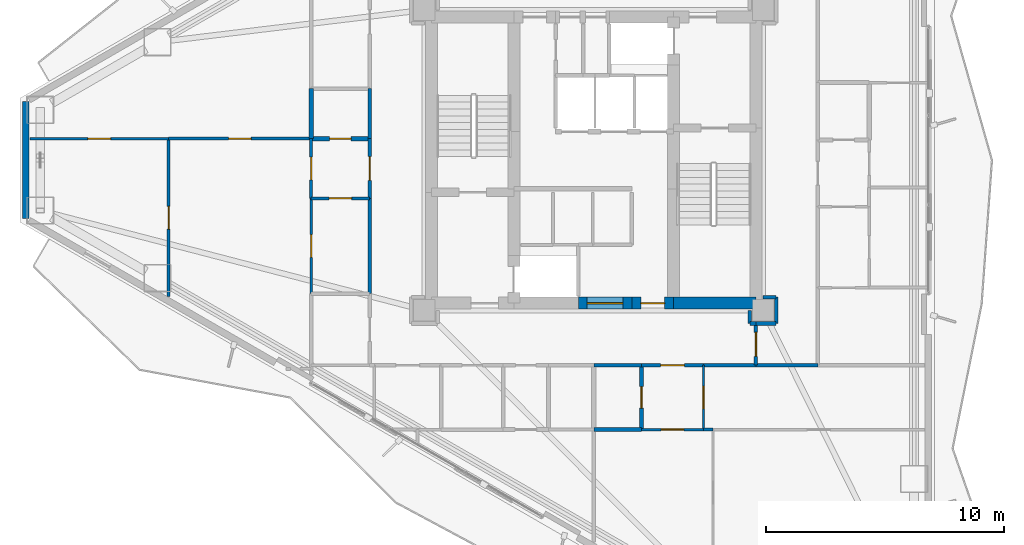
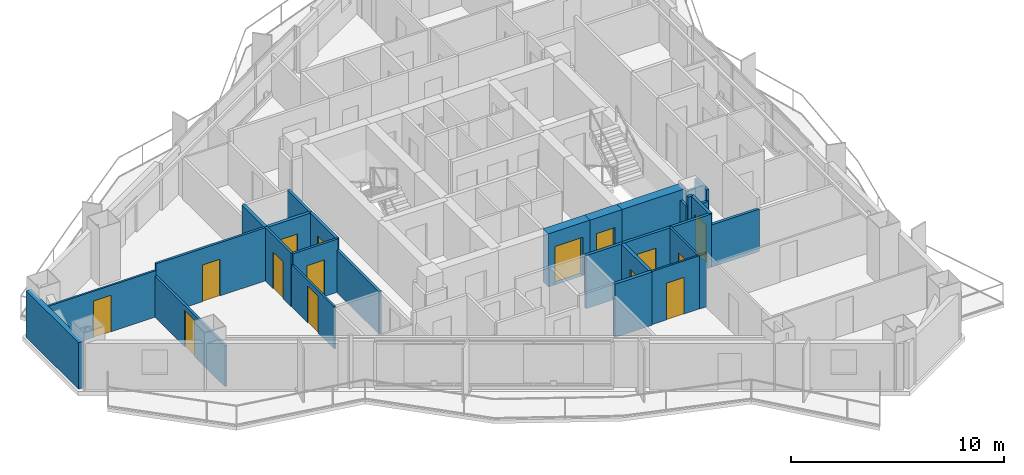
# One storey, part 16 of 23: 30 walls, 15 doors, 15 openings.
"""IFC4 building model written with IfcOpenShell, lengths in metres."""

from ifc_helpers import new_model, si_unit, direction, frame, frame_2d, origin, place, context, subcontext, project, spatial, rectangle, extrude, material, layer, layer_set, type_object, element, fill, save


model = new_model("IFC4")

# Units and contexts
model_context = context("Model", 3, precision=1e-05, world=origin(), true_north=direction((0.0, 1.0)))
body_context = subcontext(model_context, "Body", "Model", "MODEL_VIEW")
ifc_project = project(units=[si_unit("LENGTHUNIT", "METRE"), si_unit("AREAUNIT", "SQUARE_METRE"), si_unit("VOLUMEUNIT", "CUBIC_METRE"), si_unit("PLANEANGLEUNIT", "RADIAN"), si_unit("MASSUNIT", "GRAM", prefix="KILO")], contexts=[model_context])

# Site, building, storey
site_placement = place(None, origin())
site = spatial("IfcSite", under=ifc_project, at=site_placement, CompositionType="ELEMENT")
building_placement = place(site_placement, origin())
building = spatial("IfcBuilding", under=site, at=building_placement, Name="Mersakhor Tower and Convention Hall", CompositionType="ELEMENT")
storey_placement = place(building_placement, frame((0.0, 0.0, 80.10009765625)))
storey = spatial("IfcBuildingStorey", under=building, at=storey_placement, Name="L21", CompositionType="ELEMENT", Elevation=80.10009765625)

# Wall
ifc_material_1 = material(Name="Precast concrete C45/55", Category="concrete")
ifc_layer_1 = layer(ifc_material_1, 0.27490234375)
ifc_layer_set_1 = layer_set([ifc_layer_1], Name="Precast concrete C45/55")
wall_type_1 = type_object("IfcWallType", Name="WL-EXT-275", PredefinedType="SOLIDWALL", material=ifc_layer_set_1)
wall_1_placement = place(storey_placement, frame((5.186767578125, 24.292724609375, 0.0), z_axis=(0.0, 0.0, 1.0), x_axis=(0.0, 1.0, 0.0)))
element("IfcWall", 1, at=wall_1_placement, inside=storey, type_object=wall_type_1, Name="L21 Chamfer Braced Spandrel Wall C3", PredefinedType="SOLIDWALL", context=body_context, shape_type="SweptSolid", body=[
    extrude(rectangle(XDim=4.91455078125, YDim=0.27490234375, at=frame_2d((2.457275390625, 0.0))), origin(), (0.0, 0.0, 1.0), 2.669921875),
])

# Wall, opening, door
ifc_material_2 = material(Name="Moisture-resistant acoustic drywall studwork", Category="other")
ifc_layer_2 = layer(ifc_material_2, 0.175048828125)
ifc_layer_set_2 = layer_set([ifc_layer_2], Name="Moisture-resistant acoustic drywall studwork")
wall_type_2 = type_object("IfcWallType", Name="WL-PLM-175", PredefinedType="PLUMBINGWALL", material=ifc_layer_set_2)
wall_2_placement = place(storey_placement, frame((31.0, 15.449951171875, 0.0), z_axis=(0.0, 0.0, 1.0), x_axis=(0.0, 1.0, 0.0)))
wall_2 = element("IfcWall", 2, at=wall_2_placement, inside=storey, type_object=wall_type_2, Name="L21 Interior Partition Wall P-071", PredefinedType="PLUMBINGWALL", context=body_context, shape_type="SweptSolid", body=[
    extrude(rectangle(XDim=2.699951171875, YDim=0.175048828125, at=frame_2d((1.35009765625, 0.0))), origin(), (0.0, 0.0, 1.0), 3.0498046875),
])
opening_1_placement = place(wall_2_placement, frame((0.89990234375, 0.0, 0.0)))
opening_1 = element("IfcOpeningElement", 3, at=opening_1_placement, cuts=wall_2, Name="Opening WD-01", PredefinedType="OPENING", context=body_context, shape_type="SweptSolid", body=[
    extrude(rectangle(XDim=0.89990234375, YDim=2.10009765625, at=frame_2d((0.449951171875, 1.050048828125))), frame((0.0, 0.097412109375, 0.0), z_axis=(0.0, -1.0, 0.0), x_axis=(1.0, 0.0, 0.0)), (0.0, 0.0, 1.0), 0.195068359375),
])
ifc_material_3 = material(Name="Solid-core hardwood leaf in painted steel frame", Category="steel")
door_type_1 = type_object("IfcDoorType", Name="DR-INT-WET-090x210", OperationType="NOTDEFINED", PredefinedType="DOOR", material=ifc_material_3)
door_1_placement = place(opening_1_placement, origin())
door_1 = element("IfcDoor", 4, at=door_1_placement, inside=storey, type_object=door_type_1, Name="L21 L21 Flat S3 Apartment Hall to L21 Flat S3 Bathroom Door", OperationType="SINGLE_SWING_RIGHT", OverallHeight=2.10009765625, OverallWidth=0.89990234375, PredefinedType="DOOR", context=body_context, shape_type="SweptSolid", body=[
    extrude(rectangle(XDim=0.89990234375, YDim=2.10009765625, at=frame_2d((0.449951171875, 1.050048828125))), frame((0.0, 0.02490234375, 0.0), z_axis=(0.0, -1.0, 0.0), x_axis=(1.0, 0.0, 0.0)), (0.0, 0.0, 1.0), 0.050048828125),
])
fill(opening_1, door_1)

wall_3_placement = place(storey_placement, frame((17.14990234375, 27.64990234375, 0.0), z_axis=(0.0, 0.0, 1.0), x_axis=(1.0, 0.0, 0.0)))
wall_3 = element("IfcWall", 5, at=wall_3_placement, inside=storey, type_object=wall_type_2, Name="L21 Interior Partition Wall P-074", PredefinedType="PLUMBINGWALL", context=body_context, shape_type="SweptSolid", body=[
    extrude(rectangle(XDim=2.4501953125, YDim=0.175048828125, at=frame_2d((1.22509765625, 0.0))), origin(), (0.0, 0.0, 1.0), 3.0498046875),
])
opening_2_placement = place(wall_3_placement, frame((0.77490234375, 0.0, 0.0)))
opening_2 = element("IfcOpeningElement", 6, at=opening_2_placement, cuts=wall_3, Name="Opening WD-01", PredefinedType="OPENING", context=body_context, shape_type="SweptSolid", body=[
    extrude(rectangle(XDim=0.89990234375, YDim=2.10009765625, at=frame_2d((0.449951171875, 1.050048828125))), frame((0.0, 0.097412109375, 0.0), z_axis=(0.0, -1.0, 0.0), x_axis=(1.0, 0.0, 0.0)), (0.0, 0.0, 1.0), 0.195068359375),
])
door_2_placement = place(opening_2_placement, origin())
door_2 = element("IfcDoor", 7, at=door_2_placement, inside=storey, type_object=door_type_1, Name="L21 L21 Flat W4 Apartment Hall to L21 Flat W4 Bathroom Door", OperationType="SINGLE_SWING_LEFT", OverallHeight=2.10009765625, OverallWidth=0.89990234375, PredefinedType="DOOR", context=body_context, shape_type="SweptSolid", body=[
    extrude(rectangle(XDim=0.89990234375, YDim=2.10009765625, at=frame_2d((0.449951171875, 1.050048828125))), frame((0.0, 0.02490234375, 0.0), z_axis=(0.0, -1.0, 0.0), x_axis=(1.0, 0.0, 0.0)), (0.0, 0.0, 1.0), 0.050048828125),
])
fill(opening_2, door_2)

# Walls
wall_4_placement = place(storey_placement, frame((31.0, 15.449951171875, 0.0), z_axis=(0.0, 0.0, 1.0), x_axis=(-1.0, 0.0, 0.0)))
element("IfcWall", 8, at=wall_4_placement, inside=storey, type_object=wall_type_2, Name="L21 Interior Partition Wall P-089", PredefinedType="PLUMBINGWALL", context=body_context, shape_type="SweptSolid", body=[
    extrude(rectangle(XDim=2.0, YDim=0.175048828125, at=frame_2d((1.0, 0.0))), origin(), (0.0, 0.0, 1.0), 3.0498046875),
])
wall_5_placement = place(storey_placement, frame((17.14990234375, 27.64990234375, 0.0), z_axis=(0.0, 0.0, 1.0), x_axis=(0.0, 1.0, 0.0)))
element("IfcWall", 9, at=wall_5_placement, inside=storey, type_object=wall_type_2, Name="L21 Interior Partition Wall P-094", PredefinedType="PLUMBINGWALL", context=body_context, shape_type="SweptSolid", body=[
    extrude(rectangle(XDim=2.10009765625, YDim=0.175048828125, at=frame_2d((1.050048828125, 0.0))), origin(), (0.0, 0.0, 1.0), 3.0498046875),
])

# Wall, opening, door
ifc_material_4 = material(Name="Lightweight gypsum partition", Category="other")
ifc_layer_3 = layer(ifc_material_4, 0.10009765625)
ifc_layer_set_3 = layer_set([ifc_layer_3], Name="Lightweight gypsum partition")
wall_type_3 = type_object("IfcWallType", Name="WL-PRT-100", PredefinedType="PARTITIONING", material=ifc_layer_set_3)
wall_6_placement = place(storey_placement, frame((33.60009765625, 15.449951171875, 0.0), z_axis=(0.0, 0.0, 1.0), x_axis=(-1.0, 0.0, 0.0)))
wall_6 = element("IfcWall", 10, at=wall_6_placement, inside=storey, type_object=wall_type_3, Name="L21 Interior Partition Wall P-070", PredefinedType="PARTITIONING", context=body_context, shape_type="SweptSolid", body=[
    extrude(rectangle(XDim=2.60009765625, YDim=0.10009765625, at=frame_2d((1.300048828125, 0.0))), origin(), (0.0, 0.0, 1.0), 3.0498046875),
])
opening_3_placement = place(wall_6_placement, frame((0.824951171875, 0.0, 0.0)))
opening_3 = element("IfcOpeningElement", 11, at=opening_3_placement, cuts=wall_6, Name="Opening RD-01", PredefinedType="OPENING", context=body_context, shape_type="SweptSolid", body=[
    extrude(rectangle(XDim=0.949951171875, YDim=2.10009765625, at=frame_2d((0.47509765625, 1.050048828125))), frame((0.0, 0.06005859375, 0.0), z_axis=(0.0, -1.0, 0.0), x_axis=(1.0, 0.0, 0.0)), (0.0, 0.0, 1.0), 0.1201171875),
])
ifc_material_5 = material(Name="Solid-core hardwood leaf in painted steel frame", Category="steel")
door_type_2 = type_object("IfcDoorType", Name="DR-INT-RM-095x210", OperationType="NOTDEFINED", PredefinedType="DOOR", material=ifc_material_5)
door_3_placement = place(opening_3_placement, origin())
door_3 = element("IfcDoor", 12, at=door_3_placement, inside=storey, type_object=door_type_2, Name="L21 L21 Flat S3 Apartment Hall to L21 Flat S3 Living and Dining Room Door", OperationType="SINGLE_SWING_RIGHT", OverallHeight=2.10009765625, OverallWidth=0.949951171875, PredefinedType="DOOR", context=body_context, shape_type="SweptSolid", body=[
    extrude(rectangle(XDim=0.949951171875, YDim=2.10009765625, at=frame_2d((0.47509765625, 1.050048828125))), frame((0.0, 0.02490234375, 0.0), z_axis=(0.0, -1.0, 0.0), x_axis=(1.0, 0.0, 0.0)), (0.0, 0.0, 1.0), 0.050048828125),
])
fill(opening_3, door_3)

wall_7_placement = place(storey_placement, frame((33.60009765625, 18.14990234375, 0.0), z_axis=(0.0, 0.0, 1.0), x_axis=(0.0, -1.0, 0.0)))
wall_7 = element("IfcWall", 13, at=wall_7_placement, inside=storey, type_object=wall_type_3, Name="L21 Interior Partition Wall P-072", PredefinedType="PARTITIONING", context=body_context, shape_type="SweptSolid", body=[
    extrude(rectangle(XDim=2.699951171875, YDim=0.10009765625, at=frame_2d((1.35009765625, 0.0))), origin(), (0.0, 0.0, 1.0), 3.0498046875),
])
opening_4_placement = place(wall_7_placement, frame((0.875, 0.0, 0.0)))
opening_4 = element("IfcOpeningElement", 14, at=opening_4_placement, cuts=wall_7, Name="Opening RD-01", PredefinedType="OPENING", context=body_context, shape_type="SweptSolid", body=[
    extrude(rectangle(XDim=0.949951171875, YDim=2.10009765625, at=frame_2d((0.47509765625, 1.050048828125))), frame((0.0, 0.06005859375, 0.0), z_axis=(0.0, -1.0, 0.0), x_axis=(1.0, 0.0, 0.0)), (0.0, 0.0, 1.0), 0.1201171875),
])
door_4_placement = place(opening_4_placement, origin())
door_4 = element("IfcDoor", 15, at=door_4_placement, inside=storey, type_object=door_type_2, Name="L21 L21 Flat S3 Apartment Hall to L21 Flat S3 Kitchen Door", OperationType="SINGLE_SWING_LEFT", OverallHeight=2.10009765625, OverallWidth=0.949951171875, PredefinedType="DOOR", context=body_context, shape_type="SweptSolid", body=[
    extrude(rectangle(XDim=0.949951171875, YDim=2.10009765625, at=frame_2d((0.47509765625, 1.050048828125))), frame((0.0, 0.02490234375, 0.0), z_axis=(0.0, -1.0, 0.0), x_axis=(1.0, 0.0, 0.0)), (0.0, 0.0, 1.0), 0.050048828125),
])
fill(opening_4, door_4)

wall_8_placement = place(storey_placement, frame((17.14990234375, 21.14990234375, 0.0), z_axis=(0.0, 0.0, 1.0), x_axis=(0.0, 1.0, 0.0)))
wall_8 = element("IfcWall", 16, at=wall_8_placement, inside=storey, type_object=wall_type_3, Name="L21 Interior Partition Wall P-096", PredefinedType="PARTITIONING", context=body_context, shape_type="SweptSolid", body=[
    extrude(rectangle(XDim=4.0, YDim=0.10009765625, at=frame_2d((2.0, 0.0))), origin(), (0.0, 0.0, 1.0), 2.422607421875),
])
opening_5_placement = place(wall_8_placement, frame((1.52490234375, 0.0, 0.0)))
opening_5 = element("IfcOpeningElement", 17, at=opening_5_placement, cuts=wall_8, Name="Opening RD-01", PredefinedType="OPENING", context=body_context, shape_type="SweptSolid", body=[
    extrude(rectangle(XDim=0.949951171875, YDim=2.10009765625, at=frame_2d((0.47509765625, 1.050048828125))), frame((0.0, 0.06005859375, 0.0), z_axis=(0.0, -1.0, 0.0), x_axis=(1.0, 0.0, 0.0)), (0.0, 0.0, 1.0), 0.1201171875),
])
door_5_placement = place(opening_5_placement, origin())
door_5 = element("IfcDoor", 18, at=door_5_placement, inside=storey, type_object=door_type_2, Name="L21 L21 Flat W4 Kitchen to L21 Flat W4 Dining Room Door", OperationType="SINGLE_SWING_RIGHT", OverallHeight=2.10009765625, OverallWidth=0.949951171875, PredefinedType="DOOR", context=body_context, shape_type="SweptSolid", body=[
    extrude(rectangle(XDim=0.949951171875, YDim=2.10009765625, at=frame_2d((0.47509765625, 1.050048828125))), frame((0.0, 0.02490234375, 0.0), z_axis=(0.0, -1.0, 0.0), x_axis=(1.0, 0.0, 0.0)), (0.0, 0.0, 1.0), 0.050048828125),
])
fill(opening_5, door_5)

wall_9_placement = place(storey_placement, frame((11.169921875, 27.64990234375, 0.0), z_axis=(0.0, 0.0, 1.0), x_axis=(-1.0, 0.0, 0.0)))
wall_9 = element("IfcWall", 19, at=wall_9_placement, inside=storey, type_object=wall_type_3, Name="L21 Interior Partition Wall P-134", PredefinedType="PARTITIONING", context=body_context, shape_type="SweptSolid", body=[
    extrude(rectangle(XDim=5.82177734375, YDim=0.10009765625, at=frame_2d((2.910888671875, 0.0))), origin(), (0.0, 0.0, 1.0), 2.660400390625),
])
opening_6_placement = place(wall_9_placement, frame((2.435791015625, 0.0, 0.0)))
opening_6 = element("IfcOpeningElement", 20, at=opening_6_placement, cuts=wall_9, Name="Opening RD-01", PredefinedType="OPENING", context=body_context, shape_type="SweptSolid", body=[
    extrude(rectangle(XDim=0.949951171875, YDim=2.10009765625, at=frame_2d((0.47509765625, 1.050048828125))), frame((0.0, 0.06005859375, 0.0), z_axis=(0.0, -1.0, 0.0), x_axis=(1.0, 0.0, 0.0)), (0.0, 0.0, 1.0), 0.1201171875),
])
door_6_placement = place(opening_6_placement, origin())
door_6 = element("IfcDoor", 21, at=door_6_placement, inside=storey, type_object=door_type_2, Name="L21 L21 Flat W4 Living and Dining Room to L21 Flat W4 Master Bedroom Door", OperationType="SINGLE_SWING_RIGHT", OverallHeight=2.10009765625, OverallWidth=0.949951171875, PredefinedType="DOOR", context=body_context, shape_type="SweptSolid", body=[
    extrude(rectangle(XDim=0.949951171875, YDim=2.10009765625, at=frame_2d((0.47509765625, 1.050048828125))), frame((0.0, 0.02490234375, 0.0), z_axis=(0.0, -1.0, 0.0), x_axis=(1.0, 0.0, 0.0)), (0.0, 0.0, 1.0), 0.050048828125),
])
fill(opening_6, door_6)

ifc_material_6 = material(Name="Gypsum board acoustic partition", Category="other")
ifc_layer_4 = layer(ifc_material_6, 0.125)
ifc_layer_set_4 = layer_set([ifc_layer_4], Name="Gypsum board acoustic partition")
wall_type_4 = type_object("IfcWallType", Name="WL-PRT-125", PredefinedType="PARTITIONING", material=ifc_layer_set_4)
wall_10_placement = place(storey_placement, frame((17.14990234375, 25.14990234375, 0.0), z_axis=(0.0, 0.0, 1.0), x_axis=(0.0, 1.0, 0.0)))
wall_10 = element("IfcWall", 22, at=wall_10_placement, inside=storey, type_object=wall_type_4, Name="L21 Interior Partition Wall P-073", PredefinedType="PARTITIONING", context=body_context, shape_type="SweptSolid", body=[
    extrude(rectangle(XDim=2.5, YDim=0.125, at=frame_2d((1.25, 0.0))), origin(), (0.0, 0.0, 1.0), 3.0498046875),
])
opening_7_placement = place(wall_10_placement, frame((0.77490234375, 0.0, 0.0)))
opening_7 = element("IfcOpeningElement", 23, at=opening_7_placement, cuts=wall_10, Name="Opening RD-01", PredefinedType="OPENING", context=body_context, shape_type="SweptSolid", body=[
    extrude(rectangle(XDim=0.949951171875, YDim=2.10009765625, at=frame_2d((0.47509765625, 1.050048828125))), frame((0.0, 0.072509765625, 0.0), z_axis=(0.0, -1.0, 0.0), x_axis=(1.0, 0.0, 0.0)), (0.0, 0.0, 1.0), 0.14501953125),
])
door_7_placement = place(opening_7_placement, origin())
door_7 = element("IfcDoor", 24, at=door_7_placement, inside=storey, type_object=door_type_2, Name="L21 L21 Flat W4 Apartment Hall to L21 Flat W4 Dining Room Door", OperationType="SINGLE_SWING_LEFT", OverallHeight=2.10009765625, OverallWidth=0.949951171875, PredefinedType="DOOR", context=body_context, shape_type="SweptSolid", body=[
    extrude(rectangle(XDim=0.949951171875, YDim=2.10009765625, at=frame_2d((0.47509765625, 1.050048828125))), frame((0.0, 0.02490234375, 0.0), z_axis=(0.0, -1.0, 0.0), x_axis=(1.0, 0.0, 0.0)), (0.0, 0.0, 1.0), 0.050048828125),
])
fill(opening_7, door_7)

wall_11_placement = place(storey_placement, frame((19.60009765625, 25.14990234375, 0.0), z_axis=(0.0, 0.0, 1.0), x_axis=(-1.0, 0.0, 0.0)))
wall_11 = element("IfcWall", 25, at=wall_11_placement, inside=storey, type_object=wall_type_4, Name="L21 Interior Partition Wall P-075", PredefinedType="PARTITIONING", context=body_context, shape_type="SweptSolid", body=[
    extrude(rectangle(XDim=2.4501953125, YDim=0.125, at=frame_2d((1.22509765625, 0.0))), origin(), (0.0, 0.0, 1.0), 3.0498046875),
])
opening_8_placement = place(wall_11_placement, frame((0.75, 0.0, 0.0)))
opening_8 = element("IfcOpeningElement", 26, at=opening_8_placement, cuts=wall_11, Name="Opening RD-01", PredefinedType="OPENING", context=body_context, shape_type="SweptSolid", body=[
    extrude(rectangle(XDim=0.949951171875, YDim=2.10009765625, at=frame_2d((0.47509765625, 1.050048828125))), frame((0.0, 0.072509765625, 0.0), z_axis=(0.0, -1.0, 0.0), x_axis=(1.0, 0.0, 0.0)), (0.0, 0.0, 1.0), 0.14501953125),
])
door_8_placement = place(opening_8_placement, origin())
door_8 = element("IfcDoor", 27, at=door_8_placement, inside=storey, type_object=door_type_2, Name="L21 L21 Flat W4 Apartment Hall to L21 Flat W4 Kitchen Door", OperationType="SINGLE_SWING_RIGHT", OverallHeight=2.10009765625, OverallWidth=0.949951171875, PredefinedType="DOOR", context=body_context, shape_type="SweptSolid", body=[
    extrude(rectangle(XDim=0.949951171875, YDim=2.10009765625, at=frame_2d((0.47509765625, 1.050048828125))), frame((0.0, 0.02490234375, 0.0), z_axis=(0.0, -1.0, 0.0), x_axis=(1.0, 0.0, 0.0)), (0.0, 0.0, 1.0), 0.050048828125),
])
fill(opening_8, door_8)

# Wall
wall_12_placement = place(storey_placement, frame((34.0, 15.449951171875, 0.0), z_axis=(0.0, 0.0, 1.0), x_axis=(-1.0, 0.0, 0.0)))
element("IfcWall", 28, at=wall_12_placement, inside=storey, type_object=wall_type_4, Name="L21 Interior Partition Wall P-093", PredefinedType="PARTITIONING", context=body_context, shape_type="SweptSolid", body=[
    extrude(rectangle(XDim=0.39990234375, YDim=0.125, at=frame_2d((0.199951171875, 0.0))), origin(), (0.0, 0.0, 1.0), 3.0498046875),
])

# Wall, opening, door
wall_13_placement = place(storey_placement, frame((17.14990234375, 27.64990234375, 0.0), z_axis=(0.0, 0.0, 1.0), x_axis=(-1.0, 0.0, 0.0)))
wall_13 = element("IfcWall", 29, at=wall_13_placement, inside=storey, type_object=wall_type_4, Name="L21 Interior Partition Wall P-133", PredefinedType="PARTITIONING", context=body_context, shape_type="SweptSolid", body=[
    extrude(rectangle(XDim=5.97998046875, YDim=0.125, at=frame_2d((2.989990234375, 0.0))), origin(), (0.0, 0.0, 1.0), 3.0498046875),
])
opening_9_placement = place(wall_13_placement, frame((2.514892578125, 0.0, 0.0)))
opening_9 = element("IfcOpeningElement", 30, at=opening_9_placement, cuts=wall_13, Name="Opening RD-01", PredefinedType="OPENING", context=body_context, shape_type="SweptSolid", body=[
    extrude(rectangle(XDim=0.949951171875, YDim=2.10009765625, at=frame_2d((0.47509765625, 1.050048828125))), frame((0.0, 0.072509765625, 0.0), z_axis=(0.0, -1.0, 0.0), x_axis=(1.0, 0.0, 0.0)), (0.0, 0.0, 1.0), 0.14501953125),
])
door_9_placement = place(opening_9_placement, origin())
door_9 = element("IfcDoor", 31, at=door_9_placement, inside=storey, type_object=door_type_2, Name="L21 L21 Flat W4 Living and Dining Room to L21 Flat W4 Dining Room Door", OperationType="SINGLE_SWING_LEFT", OverallHeight=2.10009765625, OverallWidth=0.949951171875, PredefinedType="DOOR", context=body_context, shape_type="SweptSolid", body=[
    extrude(rectangle(XDim=0.949951171875, YDim=2.10009765625, at=frame_2d((0.47509765625, 1.050048828125))), frame((0.0, 0.02490234375, 0.0), z_axis=(0.0, -1.0, 0.0), x_axis=(1.0, 0.0, 0.0)), (0.0, 0.0, 1.0), 0.050048828125),
])
fill(opening_9, door_9)

wall_14_placement = place(storey_placement, frame((11.169921875, 27.64990234375, 0.0), z_axis=(0.0, 0.0, 1.0), x_axis=(0.0, -1.0, 0.0)))
wall_14 = element("IfcWall", 32, at=wall_14_placement, inside=storey, type_object=wall_type_4, Name="L21 Interior Partition Wall P-135", PredefinedType="PARTITIONING", context=body_context, shape_type="SweptSolid", body=[
    extrude(rectangle(XDim=6.625, YDim=0.125, at=frame_2d((3.3125, 0.0))), origin(), (0.0, 0.0, 1.0), 2.364990234375),
])
opening_10_placement = place(wall_14_placement, frame((2.837646484375, 0.0, 0.0)))
opening_10 = element("IfcOpeningElement", 33, at=opening_10_placement, cuts=wall_14, Name="Opening RD-01", PredefinedType="OPENING", context=body_context, shape_type="SweptSolid", body=[
    extrude(rectangle(XDim=0.949951171875, YDim=2.10009765625, at=frame_2d((0.47509765625, 1.050048828125))), frame((0.0, 0.072509765625, 0.0), z_axis=(0.0, -1.0, 0.0), x_axis=(1.0, 0.0, 0.0)), (0.0, 0.0, 1.0), 0.14501953125),
])
door_10_placement = place(opening_10_placement, origin())
door_10 = element("IfcDoor", 34, at=door_10_placement, inside=storey, type_object=door_type_2, Name="L21 L21 Flat W4 Master Bedroom to L21 Flat W4 Dining Room Door", OperationType="SINGLE_SWING_RIGHT", OverallHeight=2.10009765625, OverallWidth=0.949951171875, PredefinedType="DOOR", context=body_context, shape_type="SweptSolid", body=[
    extrude(rectangle(XDim=0.949951171875, YDim=2.10009765625, at=frame_2d((0.47509765625, 1.050048828125))), frame((0.0, 0.02490234375, 0.0), z_axis=(0.0, -1.0, 0.0), x_axis=(1.0, 0.0, 0.0)), (0.0, 0.0, 1.0), 0.050048828125),
])
fill(opening_10, door_10)

# Walls
ifc_material_7 = material(Name="Fire-rated gypsum board stud partition", Category="other")
ifc_layer_5 = layer(ifc_material_7, 0.14990234375)
ifc_layer_set_5 = layer_set([ifc_layer_5], Name="Fire-rated gypsum board stud partition")
wall_type_5 = type_object("IfcWallType", Name="WL-PRT-150", PredefinedType="PARTITIONING", material=ifc_layer_set_5)
wall_15_placement = place(storey_placement, frame((35.550048828125, 20.449951171875, 0.0), z_axis=(0.0, 0.0, 1.0), x_axis=(0.0, -1.0, 0.0)))
element("IfcWall", 35, at=wall_15_placement, inside=storey, type_object=wall_type_5, Name="L21 Interior Partition Wall P-021", PredefinedType="PARTITIONING", context=body_context, shape_type="SweptSolid", body=[
    extrude(rectangle(XDim=0.550048828125, YDim=0.14990234375, at=frame_2d((0.27490234375, 0.0))), origin(), (0.0, 0.0, 1.0), 2.498291015625),
])
wall_16_placement = place(storey_placement, frame((35.550048828125, 19.89990234375, 0.0), z_axis=(0.0, 0.0, 1.0), x_axis=(1.0, 0.0, 0.0)))
element("IfcWall", 36, at=wall_16_placement, inside=storey, type_object=wall_type_5, Name="L21 Interior Partition Wall P-022", PredefinedType="PARTITIONING", context=body_context, shape_type="SweptSolid", body=[
    extrude(rectangle(XDim=0.25, YDim=0.14990234375, at=frame_2d((0.125, 0.0))), origin(), (0.0, 0.0, 1.0), 3.0498046875),
])

# Wall, opening, door
wall_17_placement = place(storey_placement, frame((35.800048828125, 19.89990234375, 0.0), z_axis=(0.0, 0.0, 1.0), x_axis=(0.0, -1.0, 0.0)))
wall_17 = element("IfcWall", 37, at=wall_17_placement, inside=storey, type_object=wall_type_5, Name="L21 Interior Partition Wall P-023", PredefinedType="PARTITIONING", context=body_context, shape_type="SweptSolid", body=[
    extrude(rectangle(XDim=1.75, YDim=0.14990234375, at=frame_2d((0.875, 0.0))), origin(), (0.0, 0.0, 1.0), 3.0498046875),
])
opening_11_placement = place(wall_17_placement, frame((0.375, 0.0, 0.0)))
opening_11 = element("IfcOpeningElement", 38, at=opening_11_placement, cuts=wall_17, Name="Opening FD-01", PredefinedType="OPENING", context=body_context, shape_type="SweptSolid", body=[
    extrude(rectangle(XDim=1.0, YDim=2.14990234375, at=frame_2d((0.5, 1.074951171875))), frame((0.0, 0.0849609375, 0.0), z_axis=(0.0, -1.0, 0.0), x_axis=(1.0, 0.0, 0.0)), (0.0, 0.0, 1.0), 0.169921875),
])
ifc_material_8 = material(Name="Fire-rated hardwood leaf and painted steel frame", Category="steel")
door_type_3 = type_object("IfcDoorType", Name="DR-INT-FLT-100x215", OperationType="NOTDEFINED", PredefinedType="DOOR", material=ifc_material_8)
door_11_placement = place(opening_11_placement, origin())
door_11 = element("IfcDoor", 39, at=door_11_placement, inside=storey, type_object=door_type_3, Name="L21 Ring Corridor Fire Door", OperationType="SINGLE_SWING_RIGHT", OverallHeight=2.14990234375, OverallWidth=1.0, PredefinedType="DOOR", context=body_context, shape_type="SweptSolid", body=[
    extrude(rectangle(XDim=1.0, YDim=2.14990234375, at=frame_2d((0.5, 1.074951171875))), frame((0.0, 0.02490234375, 0.0), z_axis=(0.0, -1.0, 0.0), x_axis=(1.0, 0.0, 0.0)), (0.0, 0.0, 1.0), 0.050048828125),
])
fill(opening_11, door_11)

# Wall
wall_18_placement = place(storey_placement, frame((35.800048828125, 18.14990234375, 0.0), z_axis=(0.0, 0.0, 1.0), x_axis=(-1.0, 0.0, 0.0)))
element("IfcWall", 40, at=wall_18_placement, inside=storey, type_object=wall_type_5, Name="L21 Interior Partition Wall P-024", PredefinedType="PARTITIONING", context=body_context, shape_type="SweptSolid", body=[
    extrude(rectangle(XDim=2.199951171875, YDim=0.14990234375, at=frame_2d((1.10009765625, 0.0))), origin(), (0.0, 0.0, 1.0), 3.0498046875),
])

# Wall, opening, door
wall_19_placement = place(storey_placement, frame((33.60009765625, 18.14990234375, 0.0), z_axis=(0.0, 0.0, 1.0), x_axis=(-1.0, 0.0, 0.0)))
wall_19 = element("IfcWall", 41, at=wall_19_placement, inside=storey, type_object=wall_type_5, Name="L21 Interior Partition Wall P-025", PredefinedType="PARTITIONING", context=body_context, shape_type="SweptSolid", body=[
    extrude(rectangle(XDim=2.60009765625, YDim=0.14990234375, at=frame_2d((1.300048828125, 0.0))), origin(), (0.0, 0.0, 1.0), 3.0498046875),
])
opening_12_placement = place(wall_19_placement, frame((0.800048828125, 0.0, 0.0)))
opening_12 = element("IfcOpeningElement", 42, at=opening_12_placement, cuts=wall_19, Name="Opening FD-01", PredefinedType="OPENING", context=body_context, shape_type="SweptSolid", body=[
    extrude(rectangle(XDim=1.0, YDim=2.14990234375, at=frame_2d((0.5, 1.074951171875))), frame((0.0, 0.0849609375, 0.0), z_axis=(0.0, -1.0, 0.0), x_axis=(1.0, 0.0, 0.0)), (0.0, 0.0, 1.0), 0.169921875),
])
door_12_placement = place(opening_12_placement, origin())
door_12 = element("IfcDoor", 43, at=door_12_placement, inside=storey, type_object=door_type_3, Name="L21 Apartment Entrance Door (Residential Ring Corridor to L21 Flat S3 Apartment Hall)", OperationType="SINGLE_SWING_LEFT", OverallHeight=2.14990234375, OverallWidth=1.0, PredefinedType="DOOR", context=body_context, shape_type="SweptSolid", body=[
    extrude(rectangle(XDim=1.0, YDim=2.14990234375, at=frame_2d((0.5, 1.074951171875))), frame((0.0, 0.02490234375, 0.0), z_axis=(0.0, -1.0, 0.0), x_axis=(1.0, 0.0, 0.0)), (0.0, 0.0, 1.0), 0.050048828125),
])
fill(opening_12, door_12)

# Walls
wall_20_placement = place(storey_placement, frame((31.0, 18.14990234375, 0.0), z_axis=(0.0, 0.0, 1.0), x_axis=(-1.0, 0.0, 0.0)))
element("IfcWall", 44, at=wall_20_placement, inside=storey, type_object=wall_type_5, Name="L21 Interior Partition Wall P-026", PredefinedType="PARTITIONING", context=body_context, shape_type="SweptSolid", body=[
    extrude(rectangle(XDim=2.0, YDim=0.14990234375, at=frame_2d((1.0, 0.0))), origin(), (0.0, 0.0, 1.0), 3.0498046875),
])
wall_21_placement = place(storey_placement, frame((19.60009765625, 21.14990234375, 0.0), z_axis=(0.0, 0.0, 1.0), x_axis=(0.0, 1.0, 0.0)))
element("IfcWall", 45, at=wall_21_placement, inside=storey, type_object=wall_type_5, Name="L21 Interior Partition Wall P-033", PredefinedType="PARTITIONING", context=body_context, shape_type="SweptSolid", body=[
    extrude(rectangle(XDim=4.0, YDim=0.14990234375, at=frame_2d((2.0, 0.0))), origin(), (0.0, 0.0, 1.0), 2.422607421875),
])

# Wall, opening, door
wall_22_placement = place(storey_placement, frame((19.60009765625, 25.14990234375, 0.0), z_axis=(0.0, 0.0, 1.0), x_axis=(0.0, 1.0, 0.0)))
wall_22 = element("IfcWall", 46, at=wall_22_placement, inside=storey, type_object=wall_type_5, Name="L21 Interior Partition Wall P-034", PredefinedType="PARTITIONING", context=body_context, shape_type="SweptSolid", body=[
    extrude(rectangle(XDim=2.5, YDim=0.14990234375, at=frame_2d((1.25, 0.0))), origin(), (0.0, 0.0, 1.0), 3.0498046875),
])
opening_13_placement = place(wall_22_placement, frame((0.75, 0.0, 0.0)))
opening_13 = element("IfcOpeningElement", 47, at=opening_13_placement, cuts=wall_22, Name="Opening FD-01", PredefinedType="OPENING", context=body_context, shape_type="SweptSolid", body=[
    extrude(rectangle(XDim=1.0, YDim=2.14990234375, at=frame_2d((0.5, 1.074951171875))), frame((0.0, 0.0849609375, 0.0), z_axis=(0.0, -1.0, 0.0), x_axis=(1.0, 0.0, 0.0)), (0.0, 0.0, 1.0), 0.169921875),
])
door_13_placement = place(opening_13_placement, origin())
door_13 = element("IfcDoor", 48, at=door_13_placement, inside=storey, type_object=door_type_3, Name="L21 Apartment Entrance Door (Residential Ring Corridor to L21 Flat W4 Apartment Hall)", OperationType="SINGLE_SWING_RIGHT", OverallHeight=2.14990234375, OverallWidth=1.0, PredefinedType="DOOR", context=body_context, shape_type="SweptSolid", body=[
    extrude(rectangle(XDim=1.0, YDim=2.14990234375, at=frame_2d((0.5, 1.074951171875))), frame((0.0, 0.02490234375, 0.0), z_axis=(0.0, -1.0, 0.0), x_axis=(1.0, 0.0, 0.0)), (0.0, 0.0, 1.0), 0.050048828125),
])
fill(opening_13, door_13)

# Walls
wall_23_placement = place(storey_placement, frame((19.60009765625, 27.64990234375, 0.0), z_axis=(0.0, 0.0, 1.0), x_axis=(0.0, 1.0, 0.0)))
element("IfcWall", 49, at=wall_23_placement, inside=storey, type_object=wall_type_5, Name="L21 Interior Partition Wall P-035", PredefinedType="PARTITIONING", context=body_context, shape_type="SweptSolid", body=[
    extrude(rectangle(XDim=2.10009765625, YDim=0.14990234375, at=frame_2d((1.050048828125, 0.0))), origin(), (0.0, 0.0, 1.0), 3.0498046875),
])
wall_24_placement = place(storey_placement, frame((36.64990234375, 21.0, 0.0), z_axis=(0.0, 0.0, 1.0), x_axis=(-1.0, 0.0, 0.0)))
element("IfcWall", 50, at=wall_24_placement, inside=storey, type_object=wall_type_5, Name="L21 Interior Partition Wall P-053", PredefinedType="PARTITIONING", context=body_context, shape_type="SweptSolid", body=[
    extrude(rectangle(XDim=0.5498046875, YDim=0.14990234375, at=frame_2d((0.27490234375, 0.0))), origin(), (0.0, 0.0, 1.0), 2.498291015625),
])
wall_25_placement = place(storey_placement, frame((38.39990234375, 18.14990234375, 0.0), z_axis=(0.0, 0.0, 1.0), x_axis=(-1.0, 0.0, 0.0)))
element("IfcWall", 51, at=wall_25_placement, inside=storey, type_object=wall_type_5, Name="L21 Interior Partition Wall P-063", PredefinedType="PARTITIONING", context=body_context, shape_type="SweptSolid", body=[
    extrude(rectangle(XDim=2.599853515625, YDim=0.14990234375, at=frame_2d((1.2998046875, 0.0))), origin(), (0.0, 0.0, 1.0), 2.422607421875),
])
wall_26_placement = place(storey_placement, frame((35.800048828125, 19.89990234375, 0.0), z_axis=(0.0, 0.0, 1.0), x_axis=(1.0, 0.0, 0.0)))
element("IfcWall", 52, at=wall_26_placement, inside=storey, type_object=wall_type_5, Name="L21 Interior Partition Wall P-064", PredefinedType="PARTITIONING", context=body_context, shape_type="SweptSolid", body=[
    extrude(rectangle(XDim=0.849853515625, YDim=0.14990234375, at=frame_2d((0.4248046875, 0.0))), origin(), (0.0, 0.0, 1.0), 2.422607421875),
])
wall_27_placement = place(storey_placement, frame((36.64990234375, 19.89990234375, 0.0), z_axis=(0.0, 0.0, 1.0), x_axis=(0.0, 1.0, 0.0)))
element("IfcWall", 53, at=wall_27_placement, inside=storey, type_object=wall_type_5, Name="L21 Interior Partition Wall P-065", PredefinedType="PARTITIONING", context=body_context, shape_type="SweptSolid", body=[
    extrude(rectangle(XDim=1.10009765625, YDim=0.14990234375, at=frame_2d((0.550048828125, 0.0))), origin(), (0.0, 0.0, 1.0), 3.0498046875),
])
ifc_material_9 = material(Name="Concrete C70/85", Category="concrete")
ifc_layer_6 = layer(ifc_material_9, 0.5)
ifc_layer_set_6 = layer_set([ifc_layer_6], Name="Concrete C70/85")
wall_type_6 = type_object("IfcWallType", Name="WL-SHR-500", PredefinedType="SHEAR", material=ifc_layer_set_6)
wall_28_placement = place(storey_placement, frame((35.800048828125, 20.75, 0.0), z_axis=(0.0, 0.0, 1.0), x_axis=(-1.0, 0.0, 0.0)))
element("IfcWall", 54, at=wall_28_placement, inside=storey, type_object=wall_type_6, Name="L21 Core Wall CW-S1", PredefinedType="SHEAR", context=body_context, shape_type="SweptSolid", body=[
    extrude(rectangle(XDim=3.449951171875, YDim=0.5, at=frame_2d((1.72509765625, 0.0))), origin(), (0.0, 0.0, 1.0), 3.0498046875),
])

# Wall, opening, door
wall_29_placement = place(storey_placement, frame((32.35009765625, 20.75, 0.0), z_axis=(0.0, 0.0, 1.0), x_axis=(-1.0, 0.0, 0.0)))
wall_29 = element("IfcWall", 55, at=wall_29_placement, inside=storey, type_object=wall_type_6, Name="L21 Core Wall CW-S2A", PredefinedType="SHEAR", context=body_context, shape_type="SweptSolid", body=[
    extrude(rectangle(XDim=1.75, YDim=0.5, at=frame_2d((0.875, 0.0))), origin(), (0.0, 0.0, 1.0), 3.0498046875),
])
opening_14_placement = place(wall_29_placement, frame((0.375, 0.0, 0.0)))
opening_14 = element("IfcOpeningElement", 56, at=opening_14_placement, cuts=wall_29, Name="Opening CFD-01", PredefinedType="OPENING", context=body_context, shape_type="SweptSolid", body=[
    extrude(rectangle(XDim=1.0, YDim=2.14990234375, at=frame_2d((0.5, 1.074951171875))), frame((0.0, 0.260009765625, 0.0), z_axis=(0.0, -1.0, 0.0), x_axis=(1.0, 0.0, 0.0)), (0.0, 0.0, 1.0), 0.52001953125),
])
ifc_material_10 = material(Name="Fire-rated hardwood leaf and painted steel frame", Category="steel")
door_type_4 = type_object("IfcDoorType", Name="DR-CORE-FD-100x215", OperationType="NOTDEFINED", PredefinedType="DOOR", material=ifc_material_10)
door_14_placement = place(opening_14_placement, origin())
door_14 = element("IfcDoor", 57, at=door_14_placement, inside=storey, type_object=door_type_4, Name="L21 Lift Lobby South Corridor Door", OperationType="SINGLE_SWING_RIGHT", OverallHeight=2.14990234375, OverallWidth=1.0, PredefinedType="DOOR", context=body_context, shape_type="SweptSolid", body=[
    extrude(rectangle(XDim=1.0, YDim=2.14990234375, at=frame_2d((0.5, 1.074951171875))), frame((0.0, 0.02490234375, 0.0), z_axis=(0.0, -1.0, 0.0), x_axis=(1.0, 0.0, 0.0)), (0.0, 0.0, 1.0), 0.050048828125),
])
fill(opening_14, door_14)

wall_30_placement = place(storey_placement, frame((30.60009765625, 20.75, 0.0), z_axis=(0.0, 0.0, 1.0), x_axis=(-1.0, 0.0, 0.0)))
wall_30 = element("IfcWall", 58, at=wall_30_placement, inside=storey, type_object=wall_type_6, Name="L21 Core Wall CW-S2B", PredefinedType="SHEAR", context=body_context, shape_type="SweptSolid", body=[
    extrude(rectangle(XDim=2.25, YDim=0.5, at=frame_2d((1.125, 0.0))), origin(), (0.0, 0.0, 1.0), 3.0498046875),
])
opening_15_placement = place(wall_30_placement, frame((0.375, 0.0, 0.0)))
opening_15 = element("IfcOpeningElement", 59, at=opening_15_placement, cuts=wall_30, Name="Opening LD-LOB", PredefinedType="OPENING", context=body_context, shape_type="SweptSolid", body=[
    extrude(rectangle(XDim=1.5, YDim=2.199951171875, at=frame_2d((0.75, 1.10009765625))), frame((0.0, 0.260009765625, 0.0), z_axis=(0.0, -1.0, 0.0), x_axis=(1.0, 0.0, 0.0)), (0.0, 0.0, 1.0), 0.52001953125),
])
ifc_material_11 = material(Name="Fire-rated hardwood leaf and painted steel frame", Category="steel")
door_type_5 = type_object("IfcDoorType", Name="DR-INT-LOB-150x220", OperationType="NOTDEFINED", PredefinedType="DOOR", material=ifc_material_11)
door_15_placement = place(opening_15_placement, origin())
door_15 = element("IfcDoor", 60, at=door_15_placement, inside=storey, type_object=door_type_5, Name="L21 Central Passenger Lift Lobby to Residential Ring Corridor Door", OperationType="DOUBLE_DOOR_SINGLE_SWING", OverallHeight=2.199951171875, OverallWidth=1.5, PredefinedType="DOOR", context=body_context, shape_type="SweptSolid", body=[
    extrude(rectangle(XDim=1.5, YDim=2.199951171875, at=frame_2d((0.75, 1.10009765625))), frame((0.0, 0.02490234375, 0.0), z_axis=(0.0, -1.0, 0.0), x_axis=(1.0, 0.0, 0.0)), (0.0, 0.0, 1.0), 0.050048828125),
])
fill(opening_15, door_15)

save(model, "model.ifc")
